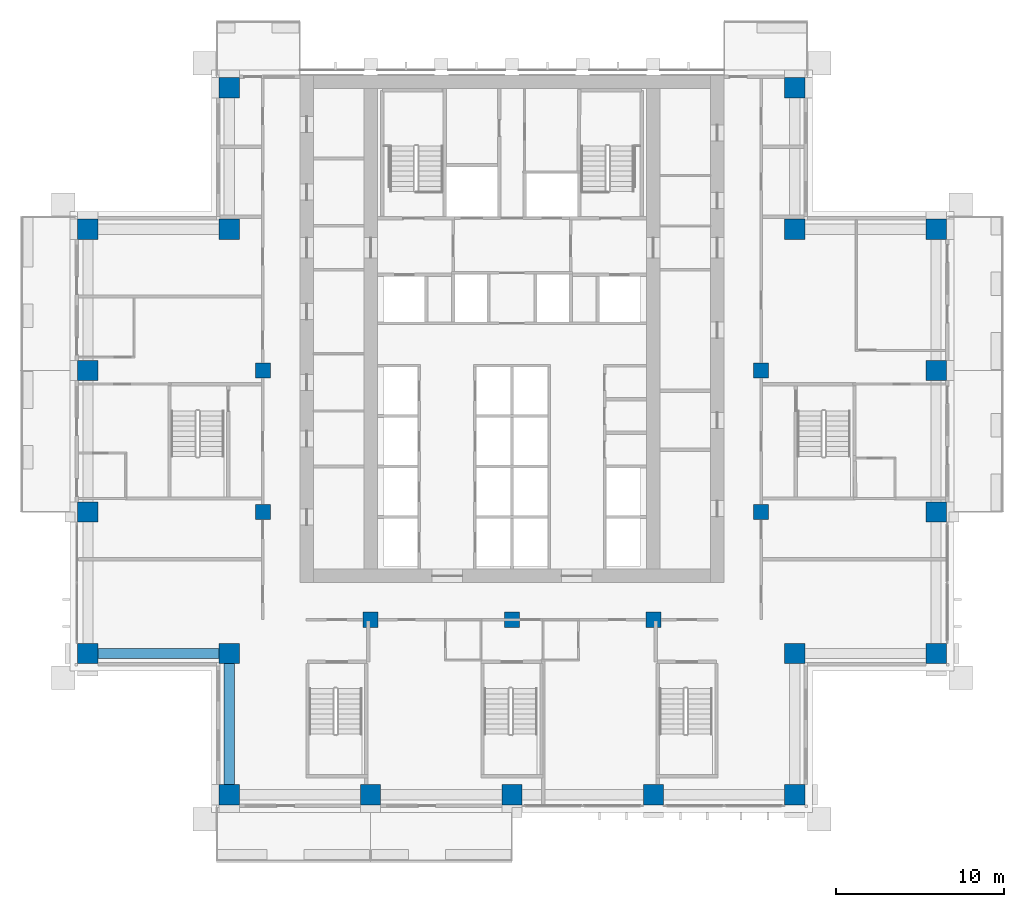
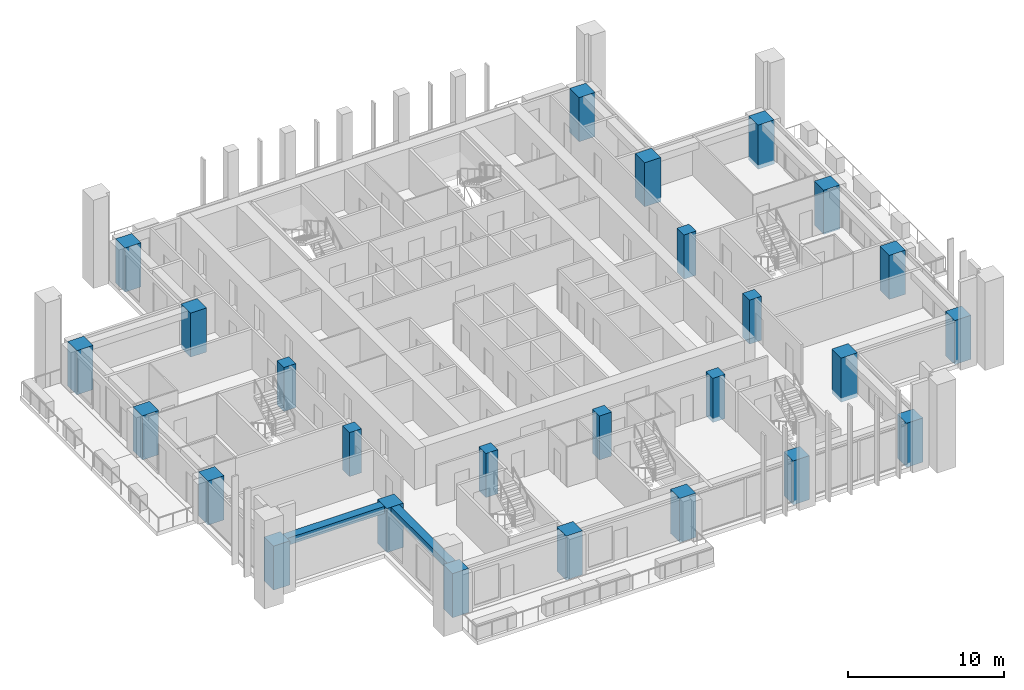
# One storey, part 1 of 17: 26 columns, 2 beams.
"""IFC4 building model written with IfcOpenShell, lengths in metres."""

from ifc_helpers import new_model, si_unit, direction, frame, origin, origin_2d, place, context, subcontext, project, spatial, rectangle, extrude, material, material_profile, profile_set, type_object, element, save


model = new_model("IFC4")

# Units and contexts
model_context = context("Model", 3, precision=1e-05, world=origin(), true_north=direction((0.0, 1.0)))
body_context = subcontext(model_context, "Body", "Model", "MODEL_VIEW")
ifc_project = project(units=[si_unit("LENGTHUNIT", "METRE"), si_unit("AREAUNIT", "SQUARE_METRE"), si_unit("VOLUMEUNIT", "CUBIC_METRE"), si_unit("PLANEANGLEUNIT", "RADIAN"), si_unit("MASSUNIT", "GRAM", prefix="KILO")], contexts=[model_context])

# Site, building, storey
site_placement = place(None, origin())
site = spatial("IfcSite", under=ifc_project, at=site_placement, CompositionType="ELEMENT")
building_placement = place(site_placement, origin())
building = spatial("IfcBuilding", under=site, at=building_placement, Name="Vermilion Ogive Tower", CompositionType="ELEMENT")
storey_placement = place(building_placement, frame((0.0, 0.0, 97.64990234375)))
storey = spatial("IfcBuildingStorey", under=building, at=storey_placement, Name="L24", CompositionType="ELEMENT", Elevation=97.64990234375)

# Columns
ifc_material_1 = material(Name="Concrete B80", Category="concrete")
ifc_material_profile_1 = material_profile(ifc_material_1, rectangle(XDim=1.199951171875, YDim=1.199951171875, at=origin_2d()), Name="1200 x 1200")
ifc_profile_set_1 = profile_set([ifc_material_profile_1], Name="Concrete B80")
column_type_1 = type_object("IfcColumnType", Name="Perimeter column 1200 x 1200 B80", PredefinedType="COLUMN", material=ifc_profile_set_1)
for number, where, z_axis, x_axis, name in (
    (1, (-16.800048828125, -21.0, -0.31982421875), (0.0, 0.0, 1.0), (1.0, 0.0, 0.0), "COL-L24-P-0168-210"),
    (2, (-8.39990234375, -21.0, -0.31982421875), (0.0, 0.0, 1.0), (1.0, 0.0, 0.0), "COL-L24-P-0084-210"),
    (3, (0.0, -21.0, -0.31982421875), (0.0, 0.0, 1.0), (1.0, 0.0, 0.0), "COL-L24-P+0000-210"),
    (4, (8.39990234375, -21.0, -0.31982421875), (0.0, 0.0, 1.0), (1.0, 0.0, 0.0), "COL-L24-P+0084-210"),
    (5, (16.800048828125, -21.0, -0.31982421875), (0.0, 0.0, 1.0), (1.0, 0.0, 0.0), "COL-L24-P+0168-210"),
    (6, (-25.199951171875, -12.60009765625, -0.31982421875), (0.0, 0.0, 1.0), (1.0, 0.0, 0.0), "COL-L24-P-0252-126"),
    (7, (-16.800048828125, -12.60009765625, -0.31982421875), (0.0, 0.0, 1.0), (1.0, 0.0, 0.0), "COL-L24-P-0168-126"),
    (8, (16.800048828125, -12.60009765625, -0.31982421875), (0.0, 0.0, 1.0), (1.0, 0.0, 0.0), "COL-L24-P+0168-126"),
    (9, (25.199951171875, -12.60009765625, -0.31982421875), (0.0, 0.0, 1.0), (1.0, 0.0, 0.0), "COL-L24-P+0252-126"),
    (10, (-25.199951171875, -4.199951171875, -0.31982421875), (0.0, 0.0, 1.0), (1.0, 0.0, 0.0), "COL-L24-P-0252-042"),
    (11, (25.199951171875, -4.199951171875, -0.31982421875), (0.0, 0.0, 1.0), (1.0, 0.0, 0.0), "COL-L24-P+0252-042"),
    (12, (-25.199951171875, 4.199951171875, -0.31982421875), (0.0, 0.0, 1.0), (1.0, 0.0, 0.0), "COL-L24-P-0252+042"),
    (13, (25.199951171875, 4.199951171875, -0.31982421875), (0.0, 0.0, 1.0), (1.0, 0.0, 0.0), "COL-L24-P+0252+042"),
    (14, (-25.199951171875, 12.60009765625, -0.31982421875), (0.0, 0.0, 1.0), (1.0, 0.0, 0.0), "COL-L24-P-0252+126"),
    (15, (-16.800048828125, 12.60009765625, -0.31982421875), (0.0, 0.0, 1.0), (1.0, 0.0, 0.0), "COL-L24-P-0168+126"),
    (16, (16.800048828125, 12.60009765625, -0.31982421875), (0.0, 0.0, 1.0), (1.0, 0.0, 0.0), "COL-L24-P+0168+126"),
    (17, (25.199951171875, 12.60009765625, -0.31982421875), (0.0, 0.0, 1.0), (1.0, 0.0, 0.0), "COL-L24-P+0252+126"),
    (18, (-16.800048828125, 21.0, -0.31982421875), (0.0, 0.0, 1.0), (1.0, 0.0, 0.0), "COL-L24-P-0168+210"),
    (19, (16.800048828125, 21.0, -0.31982421875), (0.0, 0.0, 1.0), (1.0, 0.0, 0.0), "COL-L24-P+0168+210"),
):
    element("IfcColumn", number, at=place(storey_placement, frame(where, z_axis=z_axis, x_axis=x_axis)), inside=storey, type_object=column_type_1, Name=name, PredefinedType="COLUMN", context=body_context, shape_type="SweptSolid", body=[
        extrude(rectangle(XDim=1.199951171875, YDim=1.199951171875, at=origin_2d()), origin(), (0.0, 0.0, 1.0), 3.449951171875),
    ])
ifc_material_2 = material(Name="Concrete B80", Category="concrete")
ifc_material_profile_2 = material_profile(ifc_material_2, rectangle(XDim=0.89990234375, YDim=0.89990234375, at=origin_2d()), Name="900 x 900")
ifc_profile_set_2 = profile_set([ifc_material_profile_2], Name="Concrete B80")
column_type_2 = type_object("IfcColumnType", Name="Ring column 900 x 900 B80", PredefinedType="COLUMN", material=ifc_profile_set_2)
for number, where, z_axis, x_axis, name in (
    (20, (-8.39990234375, -10.60009765625, -0.31982421875), (0.0, 0.0, 1.0), (1.0, 0.0, 0.0), "COL-L24-R-0084-106"),
    (21, (0.0, -10.60009765625, -0.31982421875), (0.0, 0.0, 1.0), (1.0, 0.0, 0.0), "COL-L24-R+0000-106"),
    (22, (8.39990234375, -10.60009765625, -0.31982421875), (0.0, 0.0, 1.0), (1.0, 0.0, 0.0), "COL-L24-R+0084-106"),
    (23, (-14.800048828125, -4.199951171875, -0.31982421875), (0.0, 0.0, 1.0), (1.0, 0.0, 0.0), "COL-L24-R-0148-042"),
    (24, (14.800048828125, -4.199951171875, -0.31982421875), (0.0, 0.0, 1.0), (1.0, 0.0, 0.0), "COL-L24-R+0148-042"),
    (25, (-14.800048828125, 4.199951171875, -0.31982421875), (0.0, 0.0, 1.0), (1.0, 0.0, 0.0), "COL-L24-R-0148+042"),
    (26, (14.800048828125, 4.199951171875, -0.31982421875), (0.0, 0.0, 1.0), (1.0, 0.0, 0.0), "COL-L24-R+0148+042"),
):
    element("IfcColumn", number, at=place(storey_placement, frame(where, z_axis=z_axis, x_axis=x_axis)), inside=storey, type_object=column_type_2, Name=name, PredefinedType="COLUMN", context=body_context, shape_type="SweptSolid", body=[
        extrude(rectangle(XDim=0.89990234375, YDim=0.89990234375, at=origin_2d()), origin(), (0.0, 0.0, 1.0), 3.449951171875),
    ])

# Beams
ifc_material_3 = material(Name="Concrete B45", Category="concrete")
ifc_material_profile_3 = material_profile(ifc_material_3, rectangle(XDim=0.60009765625, YDim=0.550048828125, at=origin_2d()), Name="600 x 550")
ifc_profile_set_3 = profile_set([ifc_material_profile_3], Name="Concrete B45")
beam_type = type_object("IfcBeamType", Name="Edge beam 600 x 550 B45", PredefinedType="BEAM", material=ifc_profile_set_3)
beam_1_placement = place(storey_placement, frame((-24.60009765625, -12.60009765625, 2.85498046875), z_axis=(1.0, 0.0, 0.0), x_axis=(0.0, 1.0, 0.0)))
element("IfcBeam", 27, at=beam_1_placement, inside=storey, type_object=beam_type, Name="L24-EB-17", PredefinedType="BEAM", context=body_context, shape_type="SweptSolid", body=[
    extrude(rectangle(XDim=0.60009765625, YDim=0.550048828125, at=origin_2d()), origin(), (0.0, 0.0, 1.0), 7.2001953125),
])
beam_2_placement = place(storey_placement, frame((-16.800048828125, -13.199951171875, 2.85498046875), z_axis=(0.0, -1.0, 0.0), x_axis=(1.0, 0.0, 0.0)))
element("IfcBeam", 28, at=beam_2_placement, inside=storey, type_object=beam_type, Name="L24-EB-18", PredefinedType="BEAM", context=body_context, shape_type="SweptSolid", body=[
    extrude(rectangle(XDim=0.60009765625, YDim=0.550048828125, at=origin_2d()), origin(), (0.0, 0.0, 1.0), 7.199951171875),
])

save(model, "model.ifc")
